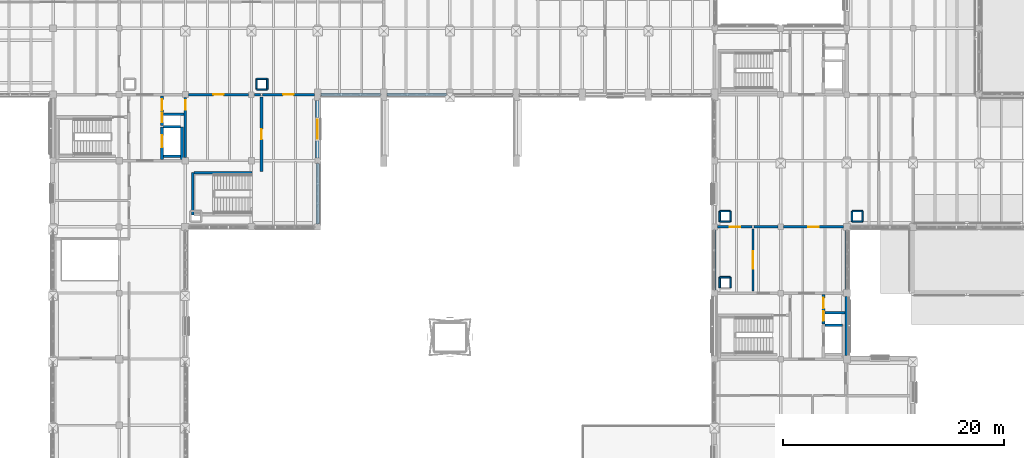
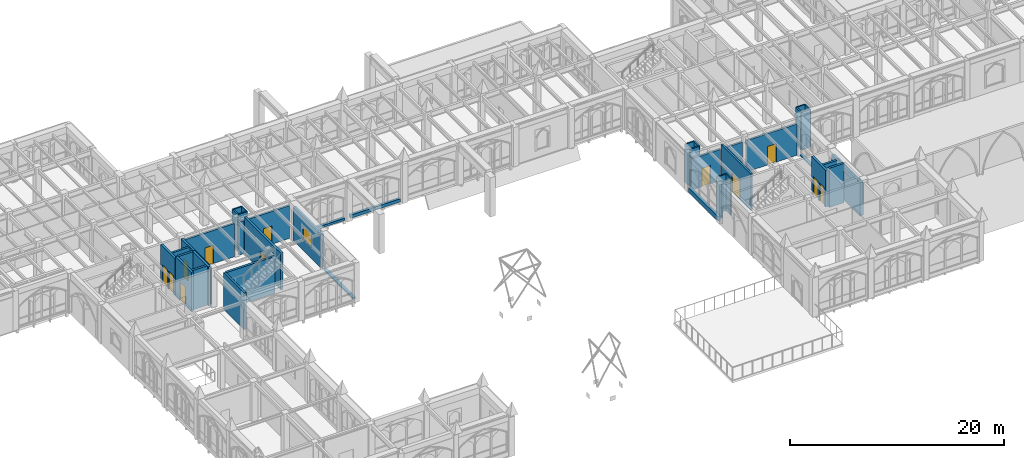
# One storey, part 107 of 143: 42 walls, 12 doors, 1 window, 13 openings.
"""IFC4 building model written with IfcOpenShell, lengths in metres."""

from ifc_helpers import new_model, si_unit, direction, frame, frame_2d, origin, place, context, subcontext, project, spatial, rectangle, extrude, material, layer, layer_set, type_object, element, fill, save


model = new_model("IFC4")

# Units and contexts
model_context = context("Model", 3, precision=1e-05, world=origin(), true_north=direction((0.0, 1.0)))
body_context = subcontext(model_context, "Body", "Model", "MODEL_VIEW")
ifc_project = project(units=[si_unit("LENGTHUNIT", "METRE"), si_unit("AREAUNIT", "SQUARE_METRE"), si_unit("VOLUMEUNIT", "CUBIC_METRE"), si_unit("PLANEANGLEUNIT", "RADIAN"), si_unit("MASSUNIT", "GRAM", prefix="KILO")], contexts=[model_context])

# Site, building, storey
site_placement = place(None, origin())
site = spatial("IfcSite", under=ifc_project, at=site_placement, CompositionType="ELEMENT")
building_placement = place(site_placement, origin())
building = spatial("IfcBuilding", under=site, at=building_placement, Name="Cumevento Cable Car Station", CompositionType="ELEMENT")
storey_placement = place(building_placement, frame((0.0, 0.0, 9.0)))
storey = spatial("IfcBuildingStorey", under=building, at=storey_placement, Name="L03", CompositionType="ELEMENT", Elevation=9.0)

# Walls
ifc_material_1 = material(Name="Gnaisse Facoidal Stone Ashlar 85 MPa", Category="masonry")
ifc_layer_1 = layer(ifc_material_1, 0.294921875)
ifc_layer_set_1 = layer_set([ifc_layer_1], Name="Gnaisse Facoidal Stone Ashlar 85 MPa")
wall_type_1 = type_object("IfcWallType", Name="Exterior Envelope Wall EW-295 295", PredefinedType="SOLIDWALL", material=ifc_layer_set_1)
wall_1_placement = place(storey_placement, frame((82.0, 38.75, 0.0), z_axis=(0.0, 0.0, 1.0), x_axis=(0.0, -1.0, 0.0)))
element("IfcWall", 1, at=wall_1_placement, inside=storey, type_object=wall_type_1, Name="Exterior Sill Curb Wall EW-295 L03 #213", PredefinedType="SOLIDWALL", context=body_context, shape_type="SweptSolid", body=[
    extrude(rectangle(XDim=5.47509765625, YDim=0.294921875, at=frame_2d((2.737548828125, 0.0))), origin(), (0.0, 0.0, 1.0), 0.2099609375),
])
wall_2_placement = place(storey_placement, frame((87.699951171875, 45.0, 0.0), z_axis=(0.0, 0.0, 1.0), x_axis=(-1.0, 0.0, 0.0)))
element("IfcWall", 2, at=wall_2_placement, inside=storey, type_object=wall_type_1, Name="Exterior Sill Curb Wall EW-295 L03 #244", PredefinedType="SOLIDWALL", context=body_context, shape_type="SweptSolid", body=[
    extrude(rectangle(XDim=5.39990234375, YDim=0.294921875, at=frame_2d((2.699951171875, 0.0))), origin(), (0.0, 0.0, 1.0), 0.260009765625),
])
wall_3_placement = place(storey_placement, frame((93.699951171875, 45.0, 0.0), z_axis=(0.0, 0.0, 1.0), x_axis=(-1.0, 0.0, 0.0)))
element("IfcWall", 3, at=wall_3_placement, inside=storey, type_object=wall_type_1, Name="Exterior Sill Curb Wall EW-295 L03 #246", PredefinedType="SOLIDWALL", context=body_context, shape_type="SweptSolid", body=[
    extrude(rectangle(XDim=5.39990234375, YDim=0.294921875, at=frame_2d((2.699951171875, 0.0))), origin(), (0.0, 0.0, 1.0), 0.360107421875),
])
wall_4_placement = place(storey_placement, frame((118.0, 27.27490234375, 0.0), z_axis=(0.0, 0.0, 1.0), x_axis=(0.0, 1.0, 0.0)))
element("IfcWall", 4, at=wall_4_placement, inside=storey, type_object=wall_type_1, Name="Exterior Sill Curb Wall EW-295 L03 #274", PredefinedType="SOLIDWALL", context=body_context, shape_type="SweptSolid", body=[
    extrude(rectangle(XDim=5.4501953125, YDim=0.294921875, at=frame_2d((2.72509765625, 0.0))), origin(), (0.0, 0.0, 1.0), 0.52001953125),
])
wall_5_placement = place(storey_placement, frame((130.0, 32.675048828125, 0.0), z_axis=(0.0, 0.0, 1.0), x_axis=(0.0, -1.0, 0.0)))
element("IfcWall", 5, at=wall_5_placement, inside=storey, type_object=wall_type_1, Name="Exterior Sill Curb Wall EW-295 L03 #275", PredefinedType="SOLIDWALL", context=body_context, shape_type="SweptSolid", body=[
    extrude(rectangle(XDim=5.35009765625, YDim=0.294921875, at=frame_2d((2.675048828125, 0.0))), origin(), (0.0, 0.0, 1.0), 0.159912109375),
])

# Wall, opening, window
ifc_material_2 = material(Name="Concrete C40/50", Category="concrete")
ifc_layer_2 = layer(ifc_material_2, 0.35498046875)
ifc_layer_set_2 = layer_set([ifc_layer_2], Name="Concrete C40/50")
wall_type_2 = type_object("IfcWallType", Name="Exterior Envelope Wall EW-355 355", PredefinedType="SOLIDWALL", material=ifc_layer_set_2)
wall_6_placement = place(storey_placement, frame((82.0, 44.47509765625, 0.0), z_axis=(0.0, 0.0, 1.0), x_axis=(0.0, -1.0, 0.0)))
wall_6 = element("IfcWall", 6, at=wall_6_placement, inside=storey, type_object=wall_type_2, Name="Exterior Wall EW-355 L03 #214", PredefinedType="SOLIDWALL", context=body_context, shape_type="SweptSolid", body=[
    extrude(rectangle(XDim=5.22509765625, YDim=0.35498046875, at=frame_2d((2.612548828125, 0.0))), origin(), (0.0, 0.0, 1.0), 3.80908203125),
])
opening_1_placement = place(wall_6_placement, frame((1.737548828125, 0.0, 1.25)))
opening_1 = element("IfcOpeningElement", 7, at=opening_1_placement, cuts=wall_6, Name="Opening WN-L03-070", PredefinedType="OPENING", context=body_context, shape_type="SweptSolid", body=[
    extrude(rectangle(XDim=1.75, YDim=1.5, at=frame_2d((0.875, 0.75))), frame((0.0, 0.1875, 0.0), z_axis=(0.0, -1.0, 0.0), x_axis=(1.0, 0.0, 0.0)), (0.0, 0.0, 1.0), 0.375),
])
ifc_material_3 = material(Name="Anodised Bronze Aluminium & Laminated Solar Glass", Category="aluminium")
window_type = type_object("IfcWindowType", Name="Lancet Window WN-22 1750x1500", PartitioningType="DOUBLE_PANEL_VERTICAL", PredefinedType="WINDOW", material=ifc_material_3)
window_placement = place(opening_1_placement, origin())
window = element("IfcWindow", 8, at=window_placement, inside=storey, type_object=window_type, Name="Lancet Window WN-L03-070 (WN-22)", OverallHeight=1.5, OverallWidth=1.75, PartitioningType="SINGLE_PANEL", PredefinedType="WINDOW", context=body_context, shape_type="SweptSolid", body=[
    extrude(rectangle(XDim=1.75, YDim=1.5, at=frame_2d((0.875, 0.75))), frame((0.0, 0.030029296875, 0.0), z_axis=(0.0, -1.0, 0.0), x_axis=(1.0, 0.0, 0.0)), (0.0, 0.0, 1.0), 0.06005859375),
])
fill(opening_1, window)

# Wall
wall_7_placement = place(storey_placement, frame((130.0, 26.675048828125, 0.0), z_axis=(0.0, 0.0, 1.0), x_axis=(0.0, -1.0, 0.0)))
element("IfcWall", 9, at=wall_7_placement, inside=storey, type_object=wall_type_2, Name="Exterior Wall EW-355 L03 #273", PredefinedType="SOLIDWALL", context=body_context, shape_type="SweptSolid", body=[
    extrude(rectangle(XDim=5.35009765625, YDim=0.35498046875, at=frame_2d((2.675048828125, 0.0))), origin(), (0.0, 0.0, 1.0), 3.778076171875),
])

# Wall, opening, door
ifc_material_4 = material(Name="Concrete C40/50", Category="concrete")
ifc_layer_3 = layer(ifc_material_4, 0.219970703125)
ifc_layer_set_3 = layer_set([ifc_layer_3], Name="Concrete C40/50")
wall_type_3 = type_object("IfcWallType", Name="Interior Partition FW-220 220", PredefinedType="SOLIDWALL", material=ifc_layer_set_3)
wall_8_placement = place(storey_placement, frame((77.0, 45.0, 0.0), z_axis=(0.0, 0.0, 1.0), x_axis=(1.0, 0.0, 0.0)))
wall_8 = element("IfcWall", 10, at=wall_8_placement, inside=storey, type_object=wall_type_3, Name="Interior Wall FW-220 L03 #646", PredefinedType="SOLIDWALL", context=body_context, shape_type="SweptSolid", body=[
    extrude(rectangle(XDim=4.697998046875, YDim=0.219970703125, at=frame_2d((2.34912109375, 0.0))), origin(), (0.0, 0.0, 1.0), 3.7529296875),
])
opening_2_placement = place(wall_8_placement, frame((1.87890625, 0.0, 0.0)))
opening_2 = element("IfcOpeningElement", 11, at=opening_2_placement, cuts=wall_8, Name="Opening DR-L03-244", PredefinedType="OPENING", context=body_context, shape_type="SweptSolid", body=[
    extrude(rectangle(XDim=0.93994140625, YDim=2.10009765625, at=frame_2d((0.469970703125, 1.050048828125))), frame((0.0, 0.119873046875, 0.0), z_axis=(0.0, -1.0, 0.0), x_axis=(1.0, 0.0, 0.0)), (0.0, 0.0, 1.0), 0.239990234375),
])
ifc_material_5 = material(Name="Galvanised Painted Steel Fire Door", Category="steel")
door_type_1 = type_object("IfcDoorType", Name="Interior Door FD-08 940x2100", OperationType="NOTDEFINED", PredefinedType="DOOR", material=ifc_material_5)
door_1_placement = place(opening_2_placement, origin())
door_1 = element("IfcDoor", 12, at=door_1_placement, inside=storey, type_object=door_type_1, Name="Interior Door DR-L03-244 (FD-08)", OperationType="SINGLE_SWING_RIGHT", OverallHeight=2.10009765625, OverallWidth=0.93994140625, PredefinedType="DOOR", context=body_context, shape_type="SweptSolid", body=[
    extrude(rectangle(XDim=0.93994140625, YDim=2.10009765625, at=frame_2d((0.469970703125, 1.050048828125))), frame((0.0, 0.02490234375, 0.0), z_axis=(0.0, -1.0, 0.0), x_axis=(1.0, 0.0, 0.0)), (0.0, 0.0, 1.0), 0.050048828125),
])
fill(opening_2, door_1)

wall_9_placement = place(storey_placement, frame((70.277099609375, 45.0, 0.0), z_axis=(0.0, 0.0, 1.0), x_axis=(1.0, 0.0, 0.0)))
wall_9 = element("IfcWall", 13, at=wall_9_placement, inside=storey, type_object=wall_type_3, Name="Interior Wall FW-220 L03 #647", PredefinedType="SOLIDWALL", context=body_context, shape_type="SweptSolid", body=[
    extrude(rectangle(XDim=5.470947265625, YDim=0.219970703125, at=frame_2d((2.7353515625, 0.0))), origin(), (0.0, 0.0, 1.0), 3.802978515625),
])
opening_3_placement = place(wall_9_placement, frame((2.265380859375, 0.0, 0.0)))
opening_3 = element("IfcOpeningElement", 14, at=opening_3_placement, cuts=wall_9, Name="Opening DR-L03-245", PredefinedType="OPENING", context=body_context, shape_type="SweptSolid", body=[
    extrude(rectangle(XDim=0.93994140625, YDim=2.10009765625, at=frame_2d((0.469970703125, 1.050048828125))), frame((0.0, 0.119873046875, 0.0), z_axis=(0.0, -1.0, 0.0), x_axis=(1.0, 0.0, 0.0)), (0.0, 0.0, 1.0), 0.239990234375),
])
door_2_placement = place(opening_3_placement, origin())
door_2 = element("IfcDoor", 15, at=door_2_placement, inside=storey, type_object=door_type_1, Name="Interior Door DR-L03-245 (FD-08)", OperationType="SINGLE_SWING_LEFT", OverallHeight=2.10009765625, OverallWidth=0.93994140625, PredefinedType="DOOR", context=body_context, shape_type="SweptSolid", body=[
    extrude(rectangle(XDim=0.93994140625, YDim=2.10009765625, at=frame_2d((0.469970703125, 1.050048828125))), frame((0.0, 0.02490234375, 0.0), z_axis=(0.0, -1.0, 0.0), x_axis=(1.0, 0.0, 0.0)), (0.0, 0.0, 1.0), 0.050048828125),
])
fill(opening_3, door_2)

# Wall
wall_10_placement = place(storey_placement, frame((76.251953125, 45.0, 0.0), z_axis=(0.0, 0.0, 1.0), x_axis=(1.0, 0.0, 0.0)))
element("IfcWall", 16, at=wall_10_placement, inside=storey, type_object=wall_type_3, Name="Interior Wall FW-220 L03 #648", PredefinedType="SOLIDWALL", context=body_context, shape_type="SweptSolid", body=[
    extrude(rectangle(XDim=0.548095703125, YDim=0.219970703125, at=frame_2d((0.27392578125, 0.0))), origin(), (0.0, 0.0, 1.0), 3.7529296875),
])

# Wall, opening, door
wall_11_placement = place(storey_placement, frame((118.277099609375, 33.0, 0.0), z_axis=(0.0, 0.0, 1.0), x_axis=(1.0, 0.0, 0.0)))
wall_11 = element("IfcWall", 17, at=wall_11_placement, inside=storey, type_object=wall_type_3, Name="Interior Wall FW-220 L03 #677", PredefinedType="SOLIDWALL", context=body_context, shape_type="SweptSolid", body=[
    extrude(rectangle(XDim=3.122802734375, YDim=0.219970703125, at=frame_2d((1.5615234375, 0.0))), origin(), (0.0, 0.0, 1.0), 3.568115234375),
])
opening_4_placement = place(wall_11_placement, frame((1.091552734375, 0.0, 0.0)))
opening_4 = element("IfcOpeningElement", 18, at=opening_4_placement, cuts=wall_11, Name="Opening DR-L03-267", PredefinedType="OPENING", context=body_context, shape_type="SweptSolid", body=[
    extrude(rectangle(XDim=0.93994140625, YDim=2.10009765625, at=frame_2d((0.469970703125, 1.050048828125))), frame((0.0, 0.119873046875, 0.0), z_axis=(0.0, -1.0, 0.0), x_axis=(1.0, 0.0, 0.0)), (0.0, 0.0, 1.0), 0.239990234375),
])
door_3_placement = place(opening_4_placement, origin())
door_3 = element("IfcDoor", 19, at=door_3_placement, inside=storey, type_object=door_type_1, Name="Interior Door DR-L03-267 (FD-08)", OperationType="SINGLE_SWING_LEFT", OverallHeight=2.10009765625, OverallWidth=0.93994140625, PredefinedType="DOOR", context=body_context, shape_type="SweptSolid", body=[
    extrude(rectangle(XDim=0.93994140625, YDim=2.10009765625, at=frame_2d((0.469970703125, 1.050048828125))), frame((0.0, 0.02490234375, 0.0), z_axis=(0.0, -1.0, 0.0), x_axis=(1.0, 0.0, 0.0)), (0.0, 0.0, 1.0), 0.050048828125),
])
fill(opening_4, door_3)

wall_12_placement = place(storey_placement, frame((124.251953125, 33.0, 0.0), z_axis=(0.0, 0.0, 1.0), x_axis=(1.0, 0.0, 0.0)))
wall_12 = element("IfcWall", 20, at=wall_12_placement, inside=storey, type_object=wall_type_3, Name="Interior Wall FW-220 L03 #678", PredefinedType="SOLIDWALL", context=body_context, shape_type="SweptSolid", body=[
    extrude(rectangle(XDim=5.421142578125, YDim=0.219970703125, at=frame_2d((2.71044921875, 0.0))), origin(), (0.0, 0.0, 1.0), 3.568115234375),
])
opening_5_placement = place(wall_12_placement, frame((2.240478515625, 0.0, 0.0)))
opening_5 = element("IfcOpeningElement", 21, at=opening_5_placement, cuts=wall_12, Name="Opening DR-L03-268", PredefinedType="OPENING", context=body_context, shape_type="SweptSolid", body=[
    extrude(rectangle(XDim=0.93994140625, YDim=2.10009765625, at=frame_2d((0.469970703125, 1.050048828125))), frame((0.0, 0.119873046875, 0.0), z_axis=(0.0, -1.0, 0.0), x_axis=(1.0, 0.0, 0.0)), (0.0, 0.0, 1.0), 0.239990234375),
])
door_4_placement = place(opening_5_placement, origin())
door_4 = element("IfcDoor", 22, at=door_4_placement, inside=storey, type_object=door_type_1, Name="Interior Door DR-L03-268 (FD-08)", OperationType="SINGLE_SWING_RIGHT", OverallHeight=2.10009765625, OverallWidth=0.93994140625, PredefinedType="DOOR", context=body_context, shape_type="SweptSolid", body=[
    extrude(rectangle(XDim=0.93994140625, YDim=2.10009765625, at=frame_2d((0.469970703125, 1.050048828125))), frame((0.0, 0.02490234375, 0.0), z_axis=(0.0, -1.0, 0.0), x_axis=(1.0, 0.0, 0.0)), (0.0, 0.0, 1.0), 0.050048828125),
])
fill(opening_5, door_4)

# Walls
wall_13_placement = place(storey_placement, frame((121.60009765625, 33.0, 0.0), z_axis=(0.0, 0.0, 1.0), x_axis=(1.0, 0.0, 0.0)))
element("IfcWall", 23, at=wall_13_placement, inside=storey, type_object=wall_type_3, Name="Interior Wall FW-220 L03 #679", PredefinedType="SOLIDWALL", context=body_context, shape_type="SweptSolid", body=[
    extrude(rectangle(XDim=2.14794921875, YDim=0.219970703125, at=frame_2d((1.073974609375, 0.0))), origin(), (0.0, 0.0, 1.0), 3.568115234375),
])
ifc_material_6 = material(Name="Gypsum Board & Insulated Stud Partition", Category="gypsum")
ifc_layer_4 = layer(ifc_material_6, 0.14501953125)
ifc_layer_set_4 = layer_set([ifc_layer_4], Name="Gypsum Board & Insulated Stud Partition")
wall_type_4 = type_object("IfcWallType", Name="Interior Partition PT-145 145", PredefinedType="PARTITIONING", material=ifc_layer_set_4)
for number, where, z_axis, x_axis, name in (
    (24, (76.469970703125, 45.469970703125, 0.0), (0.0, 0.0, 1.0), (1.0, 0.0, 0.0), "Interior Wall PT-145 L03 #69"),
    (25, (77.429931640625, 45.469970703125, 0.0), (0.0, 0.0, 1.0), (0.0, 1.0, 0.0), "Interior Wall PT-145 L03 #70"),
    (26, (77.429931640625, 46.429931640625, 0.0), (0.0, 0.0, 1.0), (-1.0, 0.0, 0.0), "Interior Wall PT-145 L03 #71"),
    (27, (76.469970703125, 46.429931640625, 0.0), (0.0, 0.0, 1.0), (0.0, -1.0, 0.0), "Interior Wall PT-145 L03 #72"),
):
    element("IfcWall", number, at=place(storey_placement, frame(where, z_axis=z_axis, x_axis=x_axis)), inside=storey, type_object=wall_type_4, Name=name, PredefinedType="PARTITIONING", context=body_context, shape_type="SweptSolid", body=[
        extrude(rectangle(XDim=0.9599609375, YDim=0.14501953125, at=frame_2d((0.47998046875, 0.0))), origin(), (0.0, 0.0, 1.0), 4.251953125),
    ])
for number, where, z_axis, x_axis, name in (
    (28, (119.429931640625, 27.469970703125, 0.0), (0.0, 0.0, 1.0), (0.0, 1.0, 0.0), "Interior Wall PT-145 L03 #98"),
    (29, (119.429931640625, 28.429931640625, 0.0), (0.0, 0.0, 1.0), (-1.0, 0.0, 0.0), "Interior Wall PT-145 L03 #99"),
    (30, (118.469970703125, 28.429931640625, 0.0), (0.0, 0.0, 1.0), (0.0, -1.0, 0.0), "Interior Wall PT-145 L03 #100"),
):
    element("IfcWall", number, at=place(storey_placement, frame(where, z_axis=z_axis, x_axis=x_axis)), inside=storey, type_object=wall_type_4, Name=name, PredefinedType="PARTITIONING", context=body_context, shape_type="SweptSolid", body=[
        extrude(rectangle(XDim=0.9599609375, YDim=0.14501953125, at=frame_2d((0.47998046875, 0.0))), origin(), (0.0, 0.0, 1.0), 4.18505859375),
    ])
for number, where, z_axis, x_axis, name in (
    (31, (118.469970703125, 33.469970703125, 0.0), (0.0, 0.0, 1.0), (1.0, 0.0, 0.0), "Interior Wall PT-145 L03 #105"),
    (32, (119.429931640625, 33.469970703125, 0.0), (0.0, 0.0, 1.0), (0.0, 1.0, 0.0), "Interior Wall PT-145 L03 #106"),
    (33, (119.429931640625, 34.429931640625, 0.0), (0.0, 0.0, 1.0), (-1.0, 0.0, 0.0), "Interior Wall PT-145 L03 #107"),
    (34, (118.469970703125, 34.429931640625, 0.0), (0.0, 0.0, 1.0), (0.0, -1.0, 0.0), "Interior Wall PT-145 L03 #108"),
    (35, (130.469970703125, 33.469970703125, 0.0), (0.0, 0.0, 1.0), (1.0, 0.0, 0.0), "Interior Wall PT-145 L03 #109"),
    (36, (131.429931640625, 33.469970703125, 0.0), (0.0, 0.0, 1.0), (0.0, 1.0, 0.0), "Interior Wall PT-145 L03 #110"),
    (37, (131.429931640625, 34.429931640625, 0.0), (0.0, 0.0, 1.0), (-1.0, 0.0, 0.0), "Interior Wall PT-145 L03 #111"),
    (38, (130.469970703125, 34.429931640625, 0.0), (0.0, 0.0, 1.0), (0.0, -1.0, 0.0), "Interior Wall PT-145 L03 #112"),
):
    element("IfcWall", number, at=place(storey_placement, frame(where, z_axis=z_axis, x_axis=x_axis)), inside=storey, type_object=wall_type_4, Name=name, PredefinedType="PARTITIONING", context=body_context, shape_type="SweptSolid", body=[
        extrude(rectangle(XDim=0.9599609375, YDim=0.14501953125, at=frame_2d((0.47998046875, 0.0))), origin(), (0.0, 0.0, 1.0), 4.300048828125),
    ])

# Wall, opening, door
ifc_material_7 = material(Name="Acoustic Double-Stud Partition", Category="gypsum")
ifc_layer_5 = layer(ifc_material_7, 0.195068359375)
ifc_layer_set_5 = layer_set([ifc_layer_5], Name="Acoustic Double-Stud Partition")
wall_type_5 = type_object("IfcWallType", Name="Interior Partition PT-195 195", PredefinedType="PARTITIONING", material=ifc_layer_set_5)
wall_14_placement = place(storey_placement, frame((121.5, 27.199951171875, 0.0), z_axis=(0.0, 0.0, 1.0), x_axis=(0.0, 1.0, 0.0)))
wall_14 = element("IfcWall", 39, at=wall_14_placement, inside=storey, type_object=wall_type_5, Name="Interior Wall PT-195 L03 #676", PredefinedType="PARTITIONING", context=body_context, shape_type="SweptSolid", body=[
    extrude(rectangle(XDim=5.60009765625, YDim=0.195068359375, at=frame_2d((2.800048828125, 0.0))), origin(), (0.0, 0.0, 1.0), 4.18505859375),
])
opening_6_placement = place(wall_14_placement, frame((2.010009765625, 0.0, 0.0)))
opening_6 = element("IfcOpeningElement", 40, at=opening_6_placement, cuts=wall_14, Name="Opening DR-L03-266", PredefinedType="OPENING", context=body_context, shape_type="SweptSolid", body=[
    extrude(rectangle(XDim=1.580078125, YDim=2.199951171875, at=frame_2d((0.7900390625, 1.10009765625))), frame((0.0, 0.107666015625, 0.0), z_axis=(0.0, -1.0, 0.0), x_axis=(1.0, 0.0, 0.0)), (0.0, 0.0, 1.0), 0.215087890625),
])
ifc_material_8 = material(Name="Galvanised Painted Steel Fire Door", Category="steel")
door_type_2 = type_object("IfcDoorType", Name="Interior Door FD-06 1580x2200", OperationType="NOTDEFINED", PredefinedType="DOOR", material=ifc_material_8)
door_5_placement = place(opening_6_placement, origin())
door_5 = element("IfcDoor", 41, at=door_5_placement, inside=storey, type_object=door_type_2, Name="Interior Door DR-L03-266 (FD-06)", OperationType="DOUBLE_DOOR_SINGLE_SWING", OverallHeight=2.199951171875, OverallWidth=1.580078125, PredefinedType="DOOR", context=body_context, shape_type="SweptSolid", body=[
    extrude(rectangle(XDim=1.580078125, YDim=2.199951171875, at=frame_2d((0.7900390625, 1.10009765625))), frame((0.0, 0.02490234375, 0.0), z_axis=(0.0, -1.0, 0.0), x_axis=(1.0, 0.0, 0.0)), (0.0, 0.0, 1.0), 0.050048828125),
])
fill(opening_6, door_5)

ifc_material_9 = material(Name="Acoustic Masonry Block Partition", Category="masonry")
ifc_layer_6 = layer(ifc_material_9, 0.2451171875)
ifc_layer_set_6 = layer_set([ifc_layer_6], Name="Acoustic Masonry Block Partition")
wall_type_6 = type_object("IfcWallType", Name="Interior Partition PT-245 245", PredefinedType="PARTITIONING", material=ifc_layer_set_6)
wall_15_placement = place(storey_placement, frame((76.89990234375, 38.0, 0.0), z_axis=(0.0, 0.0, 1.0), x_axis=(0.0, 1.0, 0.0)))
wall_15 = element("IfcWall", 42, at=wall_15_placement, inside=storey, type_object=wall_type_6, Name="Interior Wall PT-245 L03 #645", PredefinedType="PARTITIONING", context=body_context, shape_type="SweptSolid", body=[
    extrude(rectangle(XDim=6.800048828125, YDim=0.2451171875, at=frame_2d((3.39990234375, 0.0))), origin(), (0.0, 0.0, 1.0), 4.216064453125),
])
opening_7_placement = place(wall_15_placement, frame((2.929931640625, 0.0, 0.0)))
opening_7 = element("IfcOpeningElement", 43, at=opening_7_placement, cuts=wall_15, Name="Opening DR-L03-243", PredefinedType="OPENING", context=body_context, shape_type="SweptSolid", body=[
    extrude(rectangle(XDim=0.93994140625, YDim=2.10009765625, at=frame_2d((0.469970703125, 1.050048828125))), frame((0.0, 0.132568359375, 0.0), z_axis=(0.0, -1.0, 0.0), x_axis=(1.0, 0.0, 0.0)), (0.0, 0.0, 1.0), 0.26513671875),
])
door_6_placement = place(opening_7_placement, origin())
door_6 = element("IfcDoor", 44, at=door_6_placement, inside=storey, type_object=door_type_1, Name="Interior Door DR-L03-243 (FD-08)", OperationType="SINGLE_SWING_LEFT", OverallHeight=2.10009765625, OverallWidth=0.93994140625, PredefinedType="DOOR", context=body_context, shape_type="SweptSolid", body=[
    extrude(rectangle(XDim=0.93994140625, YDim=2.10009765625, at=frame_2d((0.469970703125, 1.050048828125))), frame((0.0, 0.02490234375, 0.0), z_axis=(0.0, -1.0, 0.0), x_axis=(1.0, 0.0, 0.0)), (0.0, 0.0, 1.0), 0.050048828125),
])
fill(opening_7, door_6)

ifc_material_10 = material(Name="Concrete C40/50", Category="concrete")
ifc_layer_7 = layer(ifc_material_10, 0.22998046875)
ifc_layer_set_7 = layer_set([ifc_layer_7], Name="Concrete C40/50")
wall_type_7 = type_object("IfcWallType", Name="Interior Shear Wall CW-230 230", PredefinedType="SHEAR", material=ifc_layer_set_7)
wall_16_placement = place(storey_placement, frame((70.0, 39.300048828125, 0.0), z_axis=(0.0, 0.0, 1.0), x_axis=(0.0, 1.0, 0.0)))
wall_16 = element("IfcWall", 45, at=wall_16_placement, inside=storey, type_object=wall_type_7, Name="Interior Wall CW-230 L03 #173", PredefinedType="SHEAR", context=body_context, shape_type="SweptSolid", body=[
    extrude(rectangle(XDim=5.425048828125, YDim=0.22998046875, at=frame_2d((2.71240234375, 0.0))), origin(), (0.0, 0.0, 1.0), 4.216064453125),
])
opening_8_placement = place(wall_16_placement, frame((4.31005859375, 0.0, 0.0)))
opening_8 = element("IfcOpeningElement", 46, at=opening_8_placement, cuts=wall_16, Name="Opening DR-L03-020", PredefinedType="OPENING", context=body_context, shape_type="SweptSolid", body=[
    extrude(rectangle(XDim=0.8798828125, YDim=2.080078125, at=frame_2d((0.43994140625, 1.0400390625))), frame((0.0, 0.125, 0.0), z_axis=(0.0, -1.0, 0.0), x_axis=(1.0, 0.0, 0.0)), (0.0, 0.0, 1.0), 0.25),
])
ifc_material_11 = material(Name="Galvanised Painted Steel Fire Door", Category="steel")
door_type_3 = type_object("IfcDoorType", Name="Interior Door FD-07 880x2080", OperationType="NOTDEFINED", PredefinedType="DOOR", material=ifc_material_11)
door_7_placement = place(opening_8_placement, origin())
door_7 = element("IfcDoor", 47, at=door_7_placement, inside=storey, type_object=door_type_3, Name="Core CORE1 E_vest Fire Door L03", OperationType="SINGLE_SWING_LEFT", OverallHeight=2.080078125, OverallWidth=0.8798828125, PredefinedType="DOOR", context=body_context, shape_type="SweptSolid", body=[
    extrude(rectangle(XDim=0.8798828125, YDim=2.080078125, at=frame_2d((0.43994140625, 1.0400390625))), frame((0.0, 0.02490234375, 0.0), z_axis=(0.0, -1.0, 0.0), x_axis=(1.0, 0.0, 0.0)), (0.0, 0.0, 1.0), 0.050048828125),
])
fill(opening_8, door_7)

# Walls
wall_17_placement = place(storey_placement, frame((68.0048828125, 39.419921875, 0.0), z_axis=(0.0, 0.0, 1.0), x_axis=(1.0, 0.0, 0.0)))
element("IfcWall", 48, at=wall_17_placement, inside=storey, type_object=wall_type_7, Name="Interior Wall CW-230 L03 #180", PredefinedType="SHEAR", context=body_context, shape_type="SweptSolid", body=[
    extrude(rectangle(XDim=1.580078125, YDim=0.22998046875, at=frame_2d((0.7900390625, 0.0))), origin(), (0.0, 0.0, 1.0), 4.5),
])
wall_18_placement = place(storey_placement, frame((69.699951171875, 39.114990234375, 0.0), z_axis=(0.0, 0.0, 1.0), x_axis=(0.0, 1.0, 0.0)))
element("IfcWall", 49, at=wall_18_placement, inside=storey, type_object=wall_type_7, Name="Interior Wall CW-230 L03 #181", PredefinedType="SHEAR", context=body_context, shape_type="SweptSolid", body=[
    extrude(rectangle(XDim=2.965087890625, YDim=0.22998046875, at=frame_2d((1.482421875, 0.0))), origin(), (0.0, 0.0, 1.0), 4.5),
])
wall_19_placement = place(storey_placement, frame((68.0048828125, 42.080078125, 0.0), z_axis=(0.0, 0.0, 1.0), x_axis=(1.0, 0.0, 0.0)))
element("IfcWall", 50, at=wall_19_placement, inside=storey, type_object=wall_type_7, Name="Interior Wall CW-230 L03 #182", PredefinedType="SHEAR", context=body_context, shape_type="SweptSolid", body=[
    extrude(rectangle(XDim=1.580078125, YDim=0.22998046875, at=frame_2d((0.7900390625, 0.0))), origin(), (0.0, 0.0, 1.0), 4.5),
])
wall_20_placement = place(storey_placement, frame((68.0048828125, 43.219970703125, 0.0), z_axis=(0.0, 0.0, 1.0), x_axis=(1.0, 0.0, 0.0)))
element("IfcWall", 51, at=wall_20_placement, inside=storey, type_object=wall_type_7, Name="Interior Wall CW-230 L03 #184", PredefinedType="SHEAR", context=body_context, shape_type="SweptSolid", body=[
    extrude(rectangle(XDim=1.880126953125, YDim=0.22998046875, at=frame_2d((0.93994140625, 0.0))), origin(), (0.0, 0.0, 1.0), 4.216064453125),
])
wall_21_placement = place(storey_placement, frame((128.0048828125, 24.080078125, 0.0), z_axis=(0.0, 0.0, 1.0), x_axis=(1.0, 0.0, 0.0)))
element("IfcWall", 52, at=wall_21_placement, inside=storey, type_object=wall_type_7, Name="Interior Wall CW-230 L03 #446", PredefinedType="SHEAR", context=body_context, shape_type="SweptSolid", body=[
    extrude(rectangle(XDim=1.580078125, YDim=0.22998046875, at=frame_2d((0.7900390625, 0.0))), origin(), (0.0, 0.0, 1.0), 4.5),
])
wall_22_placement = place(storey_placement, frame((128.0048828125, 25.219970703125, 0.0), z_axis=(0.0, 0.0, 1.0), x_axis=(1.0, 0.0, 0.0)))
element("IfcWall", 53, at=wall_22_placement, inside=storey, type_object=wall_type_7, Name="Interior Wall CW-230 L03 #448", PredefinedType="SHEAR", context=body_context, shape_type="SweptSolid", body=[
    extrude(rectangle(XDim=1.820068359375, YDim=0.22998046875, at=frame_2d((0.91015625, 0.0))), origin(), (0.0, 0.0, 1.0), 4.18505859375),
])
wall_23_placement = place(storey_placement, frame((70.679931640625, 34.080078125, 0.0), z_axis=(0.0, 0.0, 1.0), x_axis=(0.0, 1.0, 0.0)))
element("IfcWall", 54, at=wall_23_placement, inside=storey, type_object=wall_type_7, Name="Interior Wall CW-230 L03 #536", PredefinedType="SHEAR", context=body_context, shape_type="SweptSolid", body=[
    extrude(rectangle(XDim=3.83984375, YDim=0.22998046875, at=frame_2d((1.919921875, 0.0))), origin(), (0.0, 0.0, 1.0), 4.216064453125),
])
wall_24_placement = place(storey_placement, frame((70.800048828125, 37.919921875, 0.0), z_axis=(0.0, 0.0, 1.0), x_axis=(1.0, 0.0, 0.0)))
element("IfcWall", 55, at=wall_24_placement, inside=storey, type_object=wall_type_7, Name="Interior Wall CW-230 L03 #538", PredefinedType="SHEAR", context=body_context, shape_type="SweptSolid", body=[
    extrude(rectangle(XDim=5.239990234375, YDim=0.22998046875, at=frame_2d((2.6201171875, 0.0))), origin(), (0.0, 0.0, 1.0), 4.216064453125),
])

# Wall, opening, door
ifc_material_12 = material(Name="Concrete C40/50", Category="concrete")
ifc_layer_8 = layer(ifc_material_12, 0.25)
ifc_layer_set_8 = layer_set([ifc_layer_8], Name="Concrete C40/50")
wall_type_8 = type_object("IfcWallType", Name="Interior Shear Wall CW-250 250", PredefinedType="SHEAR", material=ifc_layer_set_8)
wall_25_placement = place(storey_placement, frame((67.8798828125, 39.114990234375, 0.0), z_axis=(0.0, 0.0, 1.0), x_axis=(0.0, 1.0, 0.0)))
wall_25 = element("IfcWall", 56, at=wall_25_placement, inside=storey, type_object=wall_type_8, Name="Interior Wall CW-250 L03 #179", PredefinedType="SHEAR", context=body_context, shape_type="SweptSolid", body=[
    extrude(rectangle(XDim=2.965087890625, YDim=0.25, at=frame_2d((1.482421875, 0.0))), origin(), (0.0, 0.0, 1.0), 4.5),
])
opening_9_placement = place(wall_25_placement, frame((1.094970703125, 0.0, 0.0)))
opening_9 = element("IfcOpeningElement", 57, at=opening_9_placement, cuts=wall_25, Name="Opening LD-LF01-L03", PredefinedType="OPENING", context=body_context, shape_type="SweptSolid", body=[
    extrude(rectangle(XDim=1.080078125, YDim=2.14990234375, at=frame_2d((0.5400390625, 1.074951171875))), frame((0.0, 0.135009765625, 0.0), z_axis=(0.0, -1.0, 0.0), x_axis=(1.0, 0.0, 0.0)), (0.0, 0.0, 1.0), 0.27001953125),
])
ifc_material_13 = material(Name="Brushed Stainless Steel Lift Door", Category="steel")
door_type_4 = type_object("IfcDoorType", Name="Interior Door LD-01 1080x2150", OperationType="NOTDEFINED", PredefinedType="DOOR", material=ifc_material_13)
door_8_placement = place(opening_9_placement, origin())
door_8 = element("IfcDoor", 58, at=door_8_placement, inside=storey, type_object=door_type_4, Name="Lift Landing Door LD-LF01-L03", OperationType="DOUBLE_DOOR_SLIDING", OverallHeight=2.14990234375, OverallWidth=1.080078125, PredefinedType="DOOR", context=body_context, shape_type="SweptSolid", body=[
    extrude(rectangle(XDim=1.080078125, YDim=2.14990234375, at=frame_2d((0.5400390625, 1.074951171875))), frame((0.0, 0.02490234375, 0.0), z_axis=(0.0, -1.0, 0.0), x_axis=(1.0, 0.0, 0.0)), (0.0, 0.0, 1.0), 0.050048828125),
])
fill(opening_9, door_8)

# Wall, openings, doors
wall_26_placement = place(storey_placement, frame((67.8798828125, 42.199951171875, 0.0), z_axis=(0.0, 0.0, 1.0), x_axis=(0.0, 1.0, 0.0)))
wall_26 = element("IfcWall", 59, at=wall_26_placement, inside=storey, type_object=wall_type_8, Name="Interior Wall CW-250 L03 #183", PredefinedType="SHEAR", context=body_context, shape_type="SweptSolid", body=[
    extrude(rectangle(XDim=2.68505859375, YDim=0.25, at=frame_2d((1.342529296875, 0.0))), origin(), (0.0, 0.0, 1.0), 4.216064453125),
])
opening_10_placement = place(wall_26_placement, frame((0.280029296875, 0.0, 0.0)))
opening_10 = element("IfcOpeningElement", 60, at=opening_10_placement, cuts=wall_26, Name="Opening DR-L03-025", PredefinedType="OPENING", context=body_context, shape_type="SweptSolid", body=[
    extrude(rectangle(XDim=0.8798828125, YDim=2.080078125, at=frame_2d((0.43994140625, 1.0400390625))), frame((0.0, 0.135009765625, 0.0), z_axis=(0.0, -1.0, 0.0), x_axis=(1.0, 0.0, 0.0)), (0.0, 0.0, 1.0), 0.27001953125),
])
opening_11_placement = place(wall_26_placement, frame((1.39990234375, 0.0, 0.0)))
opening_11 = element("IfcOpeningElement", 61, at=opening_11_placement, cuts=wall_26, Name="Opening DR-L03-026", PredefinedType="OPENING", context=body_context, shape_type="SweptSolid", body=[
    extrude(rectangle(XDim=0.9599609375, YDim=2.1201171875, at=frame_2d((0.47998046875, 1.06005859375))), frame((0.0, 0.135009765625, 0.0), z_axis=(0.0, -1.0, 0.0), x_axis=(1.0, 0.0, 0.0)), (0.0, 0.0, 1.0), 0.27001953125),
])
ifc_material_14 = material(Name="Galvanised Painted Steel Fire Door", Category="steel")
door_type_5 = type_object("IfcDoorType", Name="Interior Door FD-01 960x2120", OperationType="NOTDEFINED", PredefinedType="DOOR", material=ifc_material_14)
door_9_placement = place(opening_11_placement, origin())
door_9 = element("IfcDoor", 62, at=door_9_placement, inside=storey, type_object=door_type_5, Name="East Vestibule Lobby Door CORE1 L03", OperationType="SINGLE_SWING_RIGHT", OverallHeight=2.1201171875, OverallWidth=0.9599609375, PredefinedType="DOOR", context=body_context, shape_type="SweptSolid", body=[
    extrude(rectangle(XDim=0.9599609375, YDim=2.1201171875, at=frame_2d((0.47998046875, 1.06005859375))), frame((0.0, 0.02490234375, 0.0), z_axis=(0.0, -1.0, 0.0), x_axis=(1.0, 0.0, 0.0)), (0.0, 0.0, 1.0), 0.050048828125),
])
fill(opening_11, door_9)
door_10_placement = place(opening_10_placement, origin())
door_10 = element("IfcDoor", 63, at=door_10_placement, inside=storey, type_object=door_type_3, Name="MEP Riser Access Door CORE1 L03", OperationType="SINGLE_SWING_LEFT", OverallHeight=2.080078125, OverallWidth=0.8798828125, PredefinedType="DOOR", context=body_context, shape_type="SweptSolid", body=[
    extrude(rectangle(XDim=0.8798828125, YDim=2.080078125, at=frame_2d((0.43994140625, 1.0400390625))), frame((0.0, 0.02490234375, 0.0), z_axis=(0.0, -1.0, 0.0), x_axis=(1.0, 0.0, 0.0)), (0.0, 0.0, 1.0), 0.050048828125),
])
fill(opening_10, door_10)

wall_27_placement = place(storey_placement, frame((127.8798828125, 24.199951171875, 0.0), z_axis=(0.0, 0.0, 1.0), x_axis=(0.0, 1.0, 0.0)))
wall_27 = element("IfcWall", 64, at=wall_27_placement, inside=storey, type_object=wall_type_8, Name="Interior Wall CW-250 L03 #447", PredefinedType="SHEAR", context=body_context, shape_type="SweptSolid", body=[
    extrude(rectangle(XDim=2.68505859375, YDim=0.25, at=frame_2d((1.342529296875, 0.0))), origin(), (0.0, 0.0, 1.0), 4.18505859375),
])
opening_12_placement = place(wall_27_placement, frame((0.280029296875, 0.0, 0.0)))
opening_12 = element("IfcOpeningElement", 65, at=opening_12_placement, cuts=wall_27, Name="Opening DR-L03-144", PredefinedType="OPENING", context=body_context, shape_type="SweptSolid", body=[
    extrude(rectangle(XDim=0.8798828125, YDim=2.080078125, at=frame_2d((0.43994140625, 1.0400390625))), frame((0.0, 0.135009765625, 0.0), z_axis=(0.0, -1.0, 0.0), x_axis=(1.0, 0.0, 0.0)), (0.0, 0.0, 1.0), 0.27001953125),
])
opening_13_placement = place(wall_27_placement, frame((1.39990234375, 0.0, 0.0)))
opening_13 = element("IfcOpeningElement", 66, at=opening_13_placement, cuts=wall_27, Name="Opening DR-L03-145", PredefinedType="OPENING", context=body_context, shape_type="SweptSolid", body=[
    extrude(rectangle(XDim=0.9599609375, YDim=2.1201171875, at=frame_2d((0.47998046875, 1.06005859375))), frame((0.0, 0.135009765625, 0.0), z_axis=(0.0, -1.0, 0.0), x_axis=(1.0, 0.0, 0.0)), (0.0, 0.0, 1.0), 0.27001953125),
])
door_11_placement = place(opening_13_placement, origin())
door_11 = element("IfcDoor", 67, at=door_11_placement, inside=storey, type_object=door_type_5, Name="East Vestibule Lobby Door CORE5 L03", OperationType="SINGLE_SWING_LEFT", OverallHeight=2.1201171875, OverallWidth=0.9599609375, PredefinedType="DOOR", context=body_context, shape_type="SweptSolid", body=[
    extrude(rectangle(XDim=0.9599609375, YDim=2.1201171875, at=frame_2d((0.47998046875, 1.06005859375))), frame((0.0, 0.02490234375, 0.0), z_axis=(0.0, -1.0, 0.0), x_axis=(1.0, 0.0, 0.0)), (0.0, 0.0, 1.0), 0.050048828125),
])
fill(opening_13, door_11)
door_12_placement = place(opening_12_placement, origin())
door_12 = element("IfcDoor", 68, at=door_12_placement, inside=storey, type_object=door_type_3, Name="MEP Riser Access Door CORE5 L03", OperationType="SINGLE_SWING_RIGHT", OverallHeight=2.080078125, OverallWidth=0.8798828125, PredefinedType="DOOR", context=body_context, shape_type="SweptSolid", body=[
    extrude(rectangle(XDim=0.8798828125, YDim=2.080078125, at=frame_2d((0.43994140625, 1.0400390625))), frame((0.0, 0.02490234375, 0.0), z_axis=(0.0, -1.0, 0.0), x_axis=(1.0, 0.0, 0.0)), (0.0, 0.0, 1.0), 0.050048828125),
])
fill(opening_12, door_12)

save(model, "model.ifc")
